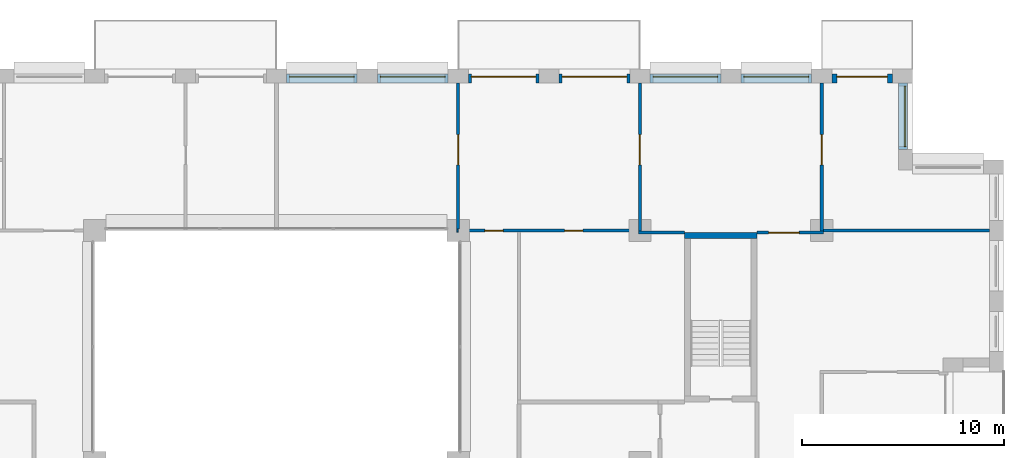
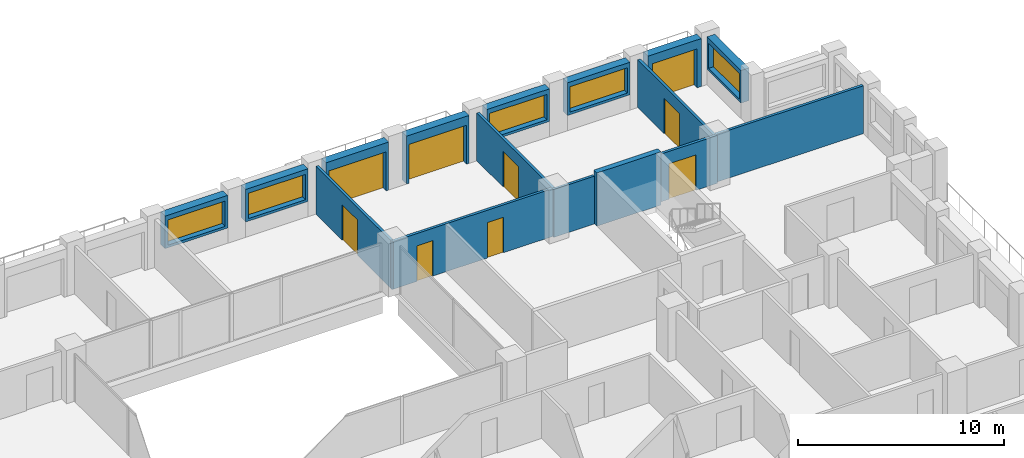
# One storey, part 13 of 15: 17 walls, 9 doors, 5 windows, 14 openings.
"""IFC4 building model written with IfcOpenShell, lengths in metres."""

from ifc_helpers import new_model, si_unit, direction, frame, frame_2d, origin, place, context, subcontext, project, spatial, rectangle, extrude, material, layer, layer_set, type_object, element, fill, save


model = new_model("IFC4")

# Units and contexts
model_context = context("Model", 3, precision=1e-05, world=origin(), true_north=direction((0.0, 1.0)))
body_context = subcontext(model_context, "Body", "Model", "MODEL_VIEW")
ifc_project = project(units=[si_unit("LENGTHUNIT", "METRE"), si_unit("AREAUNIT", "SQUARE_METRE"), si_unit("VOLUMEUNIT", "CUBIC_METRE"), si_unit("PLANEANGLEUNIT", "RADIAN"), si_unit("MASSUNIT", "GRAM", prefix="KILO")], contexts=[model_context])

# Site, building, storey
site_placement = place(None, origin())
site = spatial("IfcSite", under=ifc_project, at=site_placement, CompositionType="ELEMENT")
building_placement = place(site_placement, origin())
building = spatial("IfcBuilding", under=site, at=building_placement, Name="Brigalow Station Residences", CompositionType="ELEMENT")
storey_placement = place(building_placement, frame((0.0, 0.0, 144.449951171875)))
storey = spatial("IfcBuildingStorey", under=building, at=storey_placement, Name="L41", CompositionType="ELEMENT", Elevation=144.449951171875)

# Wall, opening, window
ifc_material_1 = material(Name="Clay brick masonry", Category="masonry")
ifc_layer_1 = layer(ifc_material_1, 0.449951171875)
ifc_layer_set_1 = layer_set([ifc_layer_1], Name="BRICK INFILL WALL 450")
wall_type_1 = type_object("IfcWallType", Name="BRICK INFILL WALL 450", PredefinedType="SOLIDWALL", material=ifc_layer_set_1)
wall_1_placement = place(storey_placement, frame((67.02490234375, 39.5, 0.900146484375), z_axis=(0.0, 0.0, 1.0), x_axis=(0.0, 1.0, 0.0)))
wall_1 = element("IfcWall", 1, at=wall_1_placement, inside=storey, type_object=wall_type_1, Name="L41/ewall/W-L41-21", PredefinedType="SOLIDWALL", context=body_context, shape_type="SweptSolid", body=[
    extrude(rectangle(XDim=3.300048828125, YDim=0.449951171875, at=frame_2d((1.64990234375, 0.0))), origin(), (0.0, 0.0, 1.0), 1.929931640625),
])
opening_1_placement = place(wall_1_placement, frame((0.14990234375, 0.0, 0.14990234375)))
opening_1 = element("IfcOpeningElement", 2, at=opening_1_placement, cuts=wall_1, Name="Opening WT-2", PredefinedType="OPENING", context=body_context, shape_type="SweptSolid", body=[
    extrude(rectangle(XDim=3.0, YDim=1.5, at=frame_2d((1.5, 0.75))), frame((0.0, 0.23486328125, 0.0), z_axis=(0.0, -1.0, 0.0), x_axis=(1.0, 0.0, 0.0)), (0.0, 0.0, 1.0), 0.469970703125),
])
ifc_material_2 = material(Name="Anodised aluminium frame with double glazing", Category="aluminium")
window_type_1 = type_object("IfcWindowType", Name="WINDOW 3000x1500", PartitioningType="SINGLE_PANEL", PredefinedType="WINDOW", material=ifc_material_2)
window_1_placement = place(opening_1_placement, origin())
window_1 = element("IfcWindow", 3, at=window_1_placement, inside=storey, type_object=window_type_1, Name="L41/window/W-L41-21", OverallHeight=1.5, OverallWidth=3.0, PartitioningType="SINGLE_PANEL", PredefinedType="WINDOW", context=body_context, shape_type="SweptSolid", body=[
    extrude(rectangle(XDim=3.0, YDim=1.5, at=frame_2d((1.5, 0.75))), frame((0.0, -0.06494140625, 0.0), z_axis=(0.0, -1.0, 0.0), x_axis=(1.0, 0.0, 0.0)), (0.0, 0.0, 1.0), 0.06005859375),
])
fill(opening_1, window_1)

# Wall, opening, door
wall_2_placement = place(storey_placement, frame((66.5, 43.02490234375, 0.0), z_axis=(0.0, 0.0, 1.0), x_axis=(-1.0, 0.0, 0.0)))
wall_2 = element("IfcWall", 4, at=wall_2_placement, inside=storey, type_object=wall_type_1, Name="L41/ewall/W-L41-22", PredefinedType="SOLIDWALL", context=body_context, shape_type="SweptSolid", body=[
    extrude(rectangle(XDim=3.0, YDim=0.449951171875, at=frame_2d((1.5, 0.0))), origin(), (0.0, 0.0, 1.0), 2.830078125),
])
opening_2_placement = place(wall_2_placement, frame((0.25, 0.0, 0.0)))
opening_2 = element("IfcOpeningElement", 5, at=opening_2_placement, cuts=wall_2, Name="Opening D-B2500", PredefinedType="OPENING", context=body_context, shape_type="SweptSolid", body=[
    extrude(rectangle(XDim=2.5, YDim=2.300048828125, at=frame_2d((1.25, 1.14990234375))), frame((0.0, 0.23486328125, 0.0), z_axis=(0.0, -1.0, 0.0), x_axis=(1.0, 0.0, 0.0)), (0.0, 0.0, 1.0), 0.469970703125),
])
ifc_material_3 = material(Name="Anodised aluminium frame with double glazing", Category="aluminium")
door_type_1 = type_object("IfcDoorType", Name="BALCONY SLIDING DOOR 2500x2300", OperationType="SLIDING_TO_LEFT", PredefinedType="DOOR", material=ifc_material_3)
door_1_placement = place(opening_2_placement, origin())
door_1 = element("IfcDoor", 6, at=door_1_placement, inside=storey, type_object=door_type_1, Name="L41/balcony-door/W-L41-22", OperationType="SLIDING_TO_LEFT", OverallHeight=2.300048828125, OverallWidth=2.5, PredefinedType="DOOR", context=body_context, shape_type="SweptSolid", body=[
    extrude(rectangle(XDim=2.5, YDim=2.300048828125, at=frame_2d((1.25, 1.14990234375))), frame((0.0, -0.06982421875, 0.0), z_axis=(0.0, -1.0, 0.0), x_axis=(1.0, 0.0, 0.0)), (0.0, 0.0, 1.0), 0.050048828125),
])
fill(opening_2, door_1)

# Wall, opening, window
wall_3_placement = place(storey_placement, frame((62.5, 43.02490234375, 0.900146484375), z_axis=(0.0, 0.0, 1.0), x_axis=(-1.0, 0.0, 0.0)))
wall_3 = element("IfcWall", 7, at=wall_3_placement, inside=storey, type_object=wall_type_1, Name="L41/ewall/W-L41-23", PredefinedType="SOLIDWALL", context=body_context, shape_type="SweptSolid", body=[
    extrude(rectangle(XDim=3.5, YDim=0.449951171875, at=frame_2d((1.75, 0.0))), origin(), (0.0, 0.0, 1.0), 1.929931640625),
])
opening_3_placement = place(wall_3_placement, frame((0.14990234375, 0.0, 0.14990234375)))
opening_3 = element("IfcOpeningElement", 8, at=opening_3_placement, cuts=wall_3, Name="Opening WT-9", PredefinedType="OPENING", context=body_context, shape_type="SweptSolid", body=[
    extrude(rectangle(XDim=3.199951171875, YDim=1.5, at=frame_2d((1.60009765625, 0.75))), frame((0.0, 0.23486328125, 0.0), z_axis=(0.0, -1.0, 0.0), x_axis=(1.0, 0.0, 0.0)), (0.0, 0.0, 1.0), 0.469970703125),
])
ifc_material_4 = material(Name="Anodised aluminium frame with double glazing", Category="aluminium")
window_type_2 = type_object("IfcWindowType", Name="WINDOW 3200x1500", PartitioningType="SINGLE_PANEL", PredefinedType="WINDOW", material=ifc_material_4)
window_2_placement = place(opening_3_placement, origin())
window_2 = element("IfcWindow", 9, at=window_2_placement, inside=storey, type_object=window_type_2, Name="L41/window/W-L41-23", OverallHeight=1.5, OverallWidth=3.199951171875, PartitioningType="SINGLE_PANEL", PredefinedType="WINDOW", context=body_context, shape_type="SweptSolid", body=[
    extrude(rectangle(XDim=3.199951171875, YDim=1.5, at=frame_2d((1.60009765625, 0.75))), frame((0.0, -0.06494140625, 0.0), z_axis=(0.0, -1.0, 0.0), x_axis=(1.0, 0.0, 0.0)), (0.0, 0.0, 1.0), 0.06005859375),
])
fill(opening_3, window_2)

wall_4_placement = place(storey_placement, frame((58.0, 43.02490234375, 0.900146484375), z_axis=(0.0, 0.0, 1.0), x_axis=(-1.0, 0.0, 0.0)))
wall_4 = element("IfcWall", 10, at=wall_4_placement, inside=storey, type_object=wall_type_1, Name="L41/ewall/W-L41-24", PredefinedType="SOLIDWALL", context=body_context, shape_type="SweptSolid", body=[
    extrude(rectangle(XDim=3.5, YDim=0.449951171875, at=frame_2d((1.75, 0.0))), origin(), (0.0, 0.0, 1.0), 1.929931640625),
])
opening_4_placement = place(wall_4_placement, frame((0.14990234375, 0.0, 0.14990234375)))
opening_4 = element("IfcOpeningElement", 11, at=opening_4_placement, cuts=wall_4, Name="Opening WT-9", PredefinedType="OPENING", context=body_context, shape_type="SweptSolid", body=[
    extrude(rectangle(XDim=3.199951171875, YDim=1.5, at=frame_2d((1.60009765625, 0.75))), frame((0.0, 0.23486328125, 0.0), z_axis=(0.0, -1.0, 0.0), x_axis=(1.0, 0.0, 0.0)), (0.0, 0.0, 1.0), 0.469970703125),
])
window_3_placement = place(opening_4_placement, origin())
window_3 = element("IfcWindow", 12, at=window_3_placement, inside=storey, type_object=window_type_2, Name="L41/window/W-L41-24", OverallHeight=1.5, OverallWidth=3.199951171875, PartitioningType="SINGLE_PANEL", PredefinedType="WINDOW", context=body_context, shape_type="SweptSolid", body=[
    extrude(rectangle(XDim=3.199951171875, YDim=1.5, at=frame_2d((1.60009765625, 0.75))), frame((0.0, -0.06494140625, 0.0), z_axis=(0.0, -1.0, 0.0), x_axis=(1.0, 0.0, 0.0)), (0.0, 0.0, 1.0), 0.06005859375),
])
fill(opening_4, window_3)

# Wall, opening, door
wall_5_placement = place(storey_placement, frame((53.5, 43.02490234375, 0.0), z_axis=(0.0, 0.0, 1.0), x_axis=(-1.0, 0.0, 0.0)))
wall_5 = element("IfcWall", 13, at=wall_5_placement, inside=storey, type_object=wall_type_1, Name="L41/ewall/W-L41-25", PredefinedType="SOLIDWALL", context=body_context, shape_type="SweptSolid", body=[
    extrude(rectangle(XDim=3.5, YDim=0.449951171875, at=frame_2d((1.75, 0.0))), origin(), (0.0, 0.0, 1.0), 2.830078125),
])
opening_5_placement = place(wall_5_placement, frame((0.14990234375, 0.0, 0.0)))
opening_5 = element("IfcOpeningElement", 14, at=opening_5_placement, cuts=wall_5, Name="Opening D-B3200", PredefinedType="OPENING", context=body_context, shape_type="SweptSolid", body=[
    extrude(rectangle(XDim=3.199951171875, YDim=2.300048828125, at=frame_2d((1.60009765625, 1.14990234375))), frame((0.0, 0.23486328125, 0.0), z_axis=(0.0, -1.0, 0.0), x_axis=(1.0, 0.0, 0.0)), (0.0, 0.0, 1.0), 0.469970703125),
])
ifc_material_5 = material(Name="Anodised aluminium frame with double glazing", Category="aluminium")
door_type_2 = type_object("IfcDoorType", Name="BALCONY SLIDING DOOR 3200x2300", OperationType="SLIDING_TO_LEFT", PredefinedType="DOOR", material=ifc_material_5)
door_2_placement = place(opening_5_placement, origin())
door_2 = element("IfcDoor", 15, at=door_2_placement, inside=storey, type_object=door_type_2, Name="L41/balcony-door/W-L41-25", OperationType="SLIDING_TO_LEFT", OverallHeight=2.300048828125, OverallWidth=3.199951171875, PredefinedType="DOOR", context=body_context, shape_type="SweptSolid", body=[
    extrude(rectangle(XDim=3.199951171875, YDim=2.300048828125, at=frame_2d((1.60009765625, 1.14990234375))), frame((0.0, -0.06982421875, 0.0), z_axis=(0.0, -1.0, 0.0), x_axis=(1.0, 0.0, 0.0)), (0.0, 0.0, 1.0), 0.050048828125),
])
fill(opening_5, door_2)

wall_6_placement = place(storey_placement, frame((49.0, 43.02490234375, 0.0), z_axis=(0.0, 0.0, 1.0), x_axis=(-1.0, 0.0, 0.0)))
wall_6 = element("IfcWall", 16, at=wall_6_placement, inside=storey, type_object=wall_type_1, Name="L41/ewall/W-L41-26", PredefinedType="SOLIDWALL", context=body_context, shape_type="SweptSolid", body=[
    extrude(rectangle(XDim=3.5, YDim=0.449951171875, at=frame_2d((1.75, 0.0))), origin(), (0.0, 0.0, 1.0), 2.830078125),
])
opening_6_placement = place(wall_6_placement, frame((0.14990234375, 0.0, 0.0)))
opening_6 = element("IfcOpeningElement", 17, at=opening_6_placement, cuts=wall_6, Name="Opening D-B3200", PredefinedType="OPENING", context=body_context, shape_type="SweptSolid", body=[
    extrude(rectangle(XDim=3.199951171875, YDim=2.300048828125, at=frame_2d((1.60009765625, 1.14990234375))), frame((0.0, 0.23486328125, 0.0), z_axis=(0.0, -1.0, 0.0), x_axis=(1.0, 0.0, 0.0)), (0.0, 0.0, 1.0), 0.469970703125),
])
door_3_placement = place(opening_6_placement, origin())
door_3 = element("IfcDoor", 18, at=door_3_placement, inside=storey, type_object=door_type_2, Name="L41/balcony-door/W-L41-26", OperationType="SLIDING_TO_LEFT", OverallHeight=2.300048828125, OverallWidth=3.199951171875, PredefinedType="DOOR", context=body_context, shape_type="SweptSolid", body=[
    extrude(rectangle(XDim=3.199951171875, YDim=2.300048828125, at=frame_2d((1.60009765625, 1.14990234375))), frame((0.0, -0.06982421875, 0.0), z_axis=(0.0, -1.0, 0.0), x_axis=(1.0, 0.0, 0.0)), (0.0, 0.0, 1.0), 0.050048828125),
])
fill(opening_6, door_3)

# Wall, opening, window
wall_7_placement = place(storey_placement, frame((44.5, 43.02490234375, 0.900146484375), z_axis=(0.0, 0.0, 1.0), x_axis=(-1.0, 0.0, 0.0)))
wall_7 = element("IfcWall", 19, at=wall_7_placement, inside=storey, type_object=wall_type_1, Name="L41/ewall/W-L41-27", PredefinedType="SOLIDWALL", context=body_context, shape_type="SweptSolid", body=[
    extrude(rectangle(XDim=3.5, YDim=0.449951171875, at=frame_2d((1.75, 0.0))), origin(), (0.0, 0.0, 1.0), 1.929931640625),
])
opening_7_placement = place(wall_7_placement, frame((0.14990234375, 0.0, 0.14990234375)))
opening_7 = element("IfcOpeningElement", 20, at=opening_7_placement, cuts=wall_7, Name="Opening WT-9", PredefinedType="OPENING", context=body_context, shape_type="SweptSolid", body=[
    extrude(rectangle(XDim=3.199951171875, YDim=1.5, at=frame_2d((1.60009765625, 0.75))), frame((0.0, 0.23486328125, 0.0), z_axis=(0.0, -1.0, 0.0), x_axis=(1.0, 0.0, 0.0)), (0.0, 0.0, 1.0), 0.469970703125),
])
window_4_placement = place(opening_7_placement, origin())
window_4 = element("IfcWindow", 21, at=window_4_placement, inside=storey, type_object=window_type_2, Name="L41/window/W-L41-27", OverallHeight=1.5, OverallWidth=3.199951171875, PartitioningType="SINGLE_PANEL", PredefinedType="WINDOW", context=body_context, shape_type="SweptSolid", body=[
    extrude(rectangle(XDim=3.199951171875, YDim=1.5, at=frame_2d((1.60009765625, 0.75))), frame((0.0, -0.06494140625, 0.0), z_axis=(0.0, -1.0, 0.0), x_axis=(1.0, 0.0, 0.0)), (0.0, 0.0, 1.0), 0.06005859375),
])
fill(opening_7, window_4)

wall_8_placement = place(storey_placement, frame((40.0, 43.02490234375, 0.900146484375), z_axis=(0.0, 0.0, 1.0), x_axis=(-1.0, 0.0, 0.0)))
wall_8 = element("IfcWall", 22, at=wall_8_placement, inside=storey, type_object=wall_type_1, Name="L41/ewall/W-L41-28", PredefinedType="SOLIDWALL", context=body_context, shape_type="SweptSolid", body=[
    extrude(rectangle(XDim=3.5, YDim=0.449951171875, at=frame_2d((1.75, 0.0))), origin(), (0.0, 0.0, 1.0), 1.929931640625),
])
opening_8_placement = place(wall_8_placement, frame((0.14990234375, 0.0, 0.14990234375)))
opening_8 = element("IfcOpeningElement", 23, at=opening_8_placement, cuts=wall_8, Name="Opening WT-9", PredefinedType="OPENING", context=body_context, shape_type="SweptSolid", body=[
    extrude(rectangle(XDim=3.199951171875, YDim=1.5, at=frame_2d((1.60009765625, 0.75))), frame((0.0, 0.23486328125, 0.0), z_axis=(0.0, -1.0, 0.0), x_axis=(1.0, 0.0, 0.0)), (0.0, 0.0, 1.0), 0.469970703125),
])
window_5_placement = place(opening_8_placement, origin())
window_5 = element("IfcWindow", 24, at=window_5_placement, inside=storey, type_object=window_type_2, Name="L41/window/W-L41-28", OverallHeight=1.5, OverallWidth=3.199951171875, PartitioningType="SINGLE_PANEL", PredefinedType="WINDOW", context=body_context, shape_type="SweptSolid", body=[
    extrude(rectangle(XDim=3.199951171875, YDim=1.5, at=frame_2d((1.60009765625, 0.75))), frame((0.0, -0.06494140625, 0.0), z_axis=(0.0, -1.0, 0.0), x_axis=(1.0, 0.0, 0.0)), (0.0, 0.0, 1.0), 0.06005859375),
])
fill(opening_8, window_5)

# Walls
ifc_material_6 = material(Name="Concrete C65", Category="concrete")
ifc_layer_2 = layer(ifc_material_6, 0.300048828125)
ifc_layer_set_2 = layer_set([ifc_layer_2], Name="CORE SHEAR WALL 300 C65")
wall_type_2 = type_object("IfcWallType", Name="CORE SHEAR WALL 300 C65", PredefinedType="SHEAR", material=ifc_layer_set_2)
wall_9_placement = place(storey_placement, frame((56.199951171875, 35.25, 0.0), z_axis=(0.0, 0.0, 1.0), x_axis=(1.0, 0.0, 0.0)))
element("IfcWall", 25, at=wall_9_placement, inside=storey, type_object=wall_type_2, Name="CORE WALL ST-S3-N L41", PredefinedType="SHEAR", context=body_context, shape_type="SweptSolid", body=[
    extrude(rectangle(XDim=3.60009765625, YDim=0.300048828125, at=frame_2d((1.800048828125, 0.0))), origin(), (0.0, 0.0, 1.0), 3.150146484375),
])
ifc_material_7 = material(Name="Plasterboard on steel stud partition", Category="steel")
ifc_layer_3 = layer(ifc_material_7, 0.14990234375)
ifc_layer_set_3 = layer_set([ifc_layer_3], Name="FLAT PARTITION 150")
wall_type_3 = type_object("IfcWallType", Name="FLAT PARTITION 150", PredefinedType="PARTITIONING", material=ifc_layer_set_3)
wall_10_placement = place(storey_placement, frame((53.925048828125, 35.39990234375, 0.0), z_axis=(0.0, 0.0, 1.0), x_axis=(1.0, 0.0, 0.0)))
element("IfcWall", 26, at=wall_10_placement, inside=storey, type_object=wall_type_3, Name="PW-3A19", PredefinedType="PARTITIONING", context=body_context, shape_type="SweptSolid", body=[
    extrude(rectangle(XDim=2.27490234375, YDim=0.14990234375, at=frame_2d((1.137451171875, 0.0))), origin(), (0.0, 0.0, 1.0), 2.830078125),
])

# Wall, opening, door
wall_11_placement = place(storey_placement, frame((59.800048828125, 35.39990234375, 0.0), z_axis=(0.0, 0.0, 1.0), x_axis=(1.0, 0.0, 0.0)))
wall_11 = element("IfcWall", 27, at=wall_11_placement, inside=storey, type_object=wall_type_3, Name="PW-3A20", PredefinedType="PARTITIONING", context=body_context, shape_type="SweptSolid", body=[
    extrude(rectangle(XDim=3.27490234375, YDim=0.14990234375, at=frame_2d((1.637451171875, 0.0))), origin(), (0.0, 0.0, 1.0), 2.830078125),
])
opening_9_placement = place(wall_11_placement, frame((0.574951171875, 0.0, 0.0)))
opening_9 = element("IfcOpeningElement", 28, at=opening_9_placement, cuts=wall_11, Name="Opening D-3A31", PredefinedType="OPENING", context=body_context, shape_type="SweptSolid", body=[
    extrude(rectangle(XDim=1.5, YDim=2.10009765625, at=frame_2d((0.75, 1.050048828125))), frame((0.0, 0.0849609375, 0.0), z_axis=(0.0, -1.0, 0.0), x_axis=(1.0, 0.0, 0.0)), (0.0, 0.0, 1.0), 0.169921875),
])
ifc_material_8 = material(Name="Solid-core timber door leaf", Category="wood")
door_type_3 = type_object("IfcDoorType", Name="INTERNAL DOUBLE DOOR 1500 x 2100", OperationType="DOUBLE_DOOR_SINGLE_SWING", PredefinedType="DOOR", material=ifc_material_8)
door_4_placement = place(opening_9_placement, origin())
door_4 = element("IfcDoor", 29, at=door_4_placement, inside=storey, type_object=door_type_3, Name="D-3A31", OperationType="DOUBLE_DOOR_SINGLE_SWING", OverallHeight=2.10009765625, OverallWidth=1.5, PredefinedType="DOOR", context=body_context, shape_type="SweptSolid", body=[
    extrude(rectangle(XDim=1.5, YDim=2.10009765625, at=frame_2d((0.75, 1.050048828125))), frame((0.0, 0.02490234375, 0.0), z_axis=(0.0, -1.0, 0.0), x_axis=(1.0, 0.0, 0.0)), (0.0, 0.0, 1.0), 0.050048828125),
])
fill(opening_9, door_4)

# Wall
wall_12_placement = place(storey_placement, frame((44.925048828125, 35.5, 0.0), z_axis=(0.0, 0.0, 1.0), x_axis=(1.0, 0.0, 0.0)))
element("IfcWall", 30, at=wall_12_placement, inside=storey, type_object=wall_type_3, Name="PW-3A23", PredefinedType="PARTITIONING", context=body_context, shape_type="SweptSolid", body=[
    extrude(rectangle(XDim=0.074951171875, YDim=0.14990234375, at=frame_2d((0.03759765625, 0.0))), origin(), (0.0, 0.0, 1.0), 2.830078125),
])

# Wall, openings, doors
wall_13_placement = place(storey_placement, frame((45.0, 35.5, 0.0), z_axis=(0.0, 0.0, 1.0), x_axis=(1.0, 0.0, 0.0)))
wall_13 = element("IfcWall", 31, at=wall_13_placement, inside=storey, type_object=wall_type_3, Name="PW-3A24", PredefinedType="PARTITIONING", context=body_context, shape_type="SweptSolid", body=[
    extrude(rectangle(XDim=8.925048828125, YDim=0.14990234375, at=frame_2d((4.46240234375, 0.0))), origin(), (0.0, 0.0, 1.0), 2.830078125),
])
opening_10_placement = place(wall_13_placement, frame((5.27490234375, 0.0, 0.0)))
opening_10 = element("IfcOpeningElement", 32, at=opening_10_placement, cuts=wall_13, Name="Opening D-3A34", PredefinedType="OPENING", context=body_context, shape_type="SweptSolid", body=[
    extrude(rectangle(XDim=0.89990234375, YDim=2.10009765625, at=frame_2d((0.449951171875, 1.050048828125))), frame((0.0, 0.0849609375, 0.0), z_axis=(0.0, -1.0, 0.0), x_axis=(1.0, 0.0, 0.0)), (0.0, 0.0, 1.0), 0.169921875),
])
opening_11_placement = place(wall_13_placement, frame((1.324951171875, 0.0, 0.0)))
opening_11 = element("IfcOpeningElement", 33, at=opening_11_placement, cuts=wall_13, Name="Opening D-3A35", PredefinedType="OPENING", context=body_context, shape_type="SweptSolid", body=[
    extrude(rectangle(XDim=0.89990234375, YDim=2.10009765625, at=frame_2d((0.449951171875, 1.050048828125))), frame((0.0, 0.0849609375, 0.0), z_axis=(0.0, -1.0, 0.0), x_axis=(1.0, 0.0, 0.0)), (0.0, 0.0, 1.0), 0.169921875),
])
ifc_material_9 = material(Name="Solid-core timber door leaf", Category="wood")
door_type_4 = type_object("IfcDoorType", Name="INTERNAL DOOR 900 x 2100", OperationType="SINGLE_SWING_LEFT", PredefinedType="DOOR", material=ifc_material_9)
door_5_placement = place(opening_10_placement, origin())
door_5 = element("IfcDoor", 34, at=door_5_placement, inside=storey, type_object=door_type_4, Name="D-3A34", OperationType="SINGLE_SWING_RIGHT", OverallHeight=2.10009765625, OverallWidth=0.89990234375, PredefinedType="DOOR", context=body_context, shape_type="SweptSolid", body=[
    extrude(rectangle(XDim=0.89990234375, YDim=2.10009765625, at=frame_2d((0.449951171875, 1.050048828125))), frame((0.0, 0.02490234375, 0.0), z_axis=(0.0, -1.0, 0.0), x_axis=(1.0, 0.0, 0.0)), (0.0, 0.0, 1.0), 0.050048828125),
])
fill(opening_10, door_5)
door_6_placement = place(opening_11_placement, frame((0.89990234375, 0.0, 0.0), z_axis=(0.0, 0.0, 1.0), x_axis=(-1.0, 0.0, 0.0)))
door_6 = element("IfcDoor", 35, at=door_6_placement, inside=storey, type_object=door_type_4, Name="D-3A35", OperationType="SINGLE_SWING_LEFT", OverallHeight=2.10009765625, OverallWidth=0.89990234375, PredefinedType="DOOR", context=body_context, shape_type="SweptSolid", body=[
    extrude(rectangle(XDim=0.89990234375, YDim=2.10009765625, at=frame_2d((0.449951171875, 1.050048828125))), frame((0.0, 0.02490234375, 0.0), z_axis=(0.0, -1.0, 0.0), x_axis=(1.0, 0.0, 0.0)), (0.0, 0.0, 1.0), 0.050048828125),
])
fill(opening_11, door_6)

# Wall
wall_14_placement = place(storey_placement, frame((63.074951171875, 35.5, 0.0), z_axis=(0.0, 0.0, 1.0), x_axis=(1.0, 0.0, 0.0)))
element("IfcWall", 36, at=wall_14_placement, inside=storey, type_object=wall_type_3, Name="PW-3A25", PredefinedType="PARTITIONING", context=body_context, shape_type="SweptSolid", body=[
    extrude(rectangle(XDim=8.22509765625, YDim=0.14990234375, at=frame_2d((4.112548828125, 0.0))), origin(), (0.0, 0.0, 1.0), 2.830078125),
])

# Wall, opening, door
wall_15_placement = place(storey_placement, frame((54.0, 35.47509765625, 0.0), z_axis=(0.0, 0.0, 1.0), x_axis=(0.0, 1.0, 0.0)))
wall_15 = element("IfcWall", 37, at=wall_15_placement, inside=storey, type_object=wall_type_3, Name="PW-3A31", PredefinedType="PARTITIONING", context=body_context, shape_type="SweptSolid", body=[
    extrude(rectangle(XDim=7.324951171875, YDim=0.14990234375, at=frame_2d((3.66259765625, 0.0))), origin(), (0.0, 0.0, 1.0), 2.830078125),
])
opening_12_placement = place(wall_15_placement, frame((3.27490234375, 0.0, 0.0)))
opening_12 = element("IfcOpeningElement", 38, at=opening_12_placement, cuts=wall_15, Name="Opening D-3A32", PredefinedType="OPENING", context=body_context, shape_type="SweptSolid", body=[
    extrude(rectangle(XDim=1.5, YDim=2.10009765625, at=frame_2d((0.75, 1.050048828125))), frame((0.0, 0.0849609375, 0.0), z_axis=(0.0, -1.0, 0.0), x_axis=(1.0, 0.0, 0.0)), (0.0, 0.0, 1.0), 0.169921875),
])
door_7_placement = place(opening_12_placement, origin())
door_7 = element("IfcDoor", 39, at=door_7_placement, inside=storey, type_object=door_type_3, Name="D-3A32", OperationType="DOUBLE_DOOR_SINGLE_SWING", OverallHeight=2.10009765625, OverallWidth=1.5, PredefinedType="DOOR", context=body_context, shape_type="SweptSolid", body=[
    extrude(rectangle(XDim=1.5, YDim=2.10009765625, at=frame_2d((0.75, 1.050048828125))), frame((0.0, 0.02490234375, 0.0), z_axis=(0.0, -1.0, 0.0), x_axis=(1.0, 0.0, 0.0)), (0.0, 0.0, 1.0), 0.050048828125),
])
fill(opening_12, door_7)

wall_16_placement = place(storey_placement, frame((63.0, 35.47509765625, 0.0), z_axis=(0.0, 0.0, 1.0), x_axis=(0.0, 1.0, 0.0)))
wall_16 = element("IfcWall", 40, at=wall_16_placement, inside=storey, type_object=wall_type_3, Name="PW-3A49", PredefinedType="PARTITIONING", context=body_context, shape_type="SweptSolid", body=[
    extrude(rectangle(XDim=7.324951171875, YDim=0.14990234375, at=frame_2d((3.66259765625, 0.0))), origin(), (0.0, 0.0, 1.0), 2.830078125),
])
opening_13_placement = place(wall_16_placement, frame((3.27490234375, 0.0, 0.0)))
opening_13 = element("IfcOpeningElement", 41, at=opening_13_placement, cuts=wall_16, Name="Opening D-3A36", PredefinedType="OPENING", context=body_context, shape_type="SweptSolid", body=[
    extrude(rectangle(XDim=1.5, YDim=2.10009765625, at=frame_2d((0.75, 1.050048828125))), frame((0.0, 0.0849609375, 0.0), z_axis=(0.0, -1.0, 0.0), x_axis=(1.0, 0.0, 0.0)), (0.0, 0.0, 1.0), 0.169921875),
])
door_8_placement = place(opening_13_placement, frame((1.5, 0.0, 0.0), z_axis=(0.0, 0.0, 1.0), x_axis=(-1.0, 0.0, 0.0)))
door_8 = element("IfcDoor", 42, at=door_8_placement, inside=storey, type_object=door_type_3, Name="D-3A36", OperationType="DOUBLE_DOOR_SINGLE_SWING", OverallHeight=2.10009765625, OverallWidth=1.5, PredefinedType="DOOR", context=body_context, shape_type="SweptSolid", body=[
    extrude(rectangle(XDim=1.5, YDim=2.10009765625, at=frame_2d((0.75, 1.050048828125))), frame((0.0, 0.02490234375, 0.0), z_axis=(0.0, -1.0, 0.0), x_axis=(1.0, 0.0, 0.0)), (0.0, 0.0, 1.0), 0.050048828125),
])
fill(opening_13, door_8)

wall_17_placement = place(storey_placement, frame((45.0, 35.574951171875, 0.0), z_axis=(0.0, 0.0, 1.0), x_axis=(0.0, 1.0, 0.0)))
wall_17 = element("IfcWall", 43, at=wall_17_placement, inside=storey, type_object=wall_type_3, Name="PW-3A52", PredefinedType="PARTITIONING", context=body_context, shape_type="SweptSolid", body=[
    extrude(rectangle(XDim=7.22509765625, YDim=0.14990234375, at=frame_2d((3.612548828125, 0.0))), origin(), (0.0, 0.0, 1.0), 2.830078125),
])
opening_14_placement = place(wall_17_placement, frame((3.175048828125, 0.0, 0.0)))
opening_14 = element("IfcOpeningElement", 44, at=opening_14_placement, cuts=wall_17, Name="Opening D-3A33", PredefinedType="OPENING", context=body_context, shape_type="SweptSolid", body=[
    extrude(rectangle(XDim=1.5, YDim=2.10009765625, at=frame_2d((0.75, 1.050048828125))), frame((0.0, 0.0849609375, 0.0), z_axis=(0.0, -1.0, 0.0), x_axis=(1.0, 0.0, 0.0)), (0.0, 0.0, 1.0), 0.169921875),
])
door_9_placement = place(opening_14_placement, origin())
door_9 = element("IfcDoor", 45, at=door_9_placement, inside=storey, type_object=door_type_3, Name="D-3A33", OperationType="DOUBLE_DOOR_SINGLE_SWING", OverallHeight=2.10009765625, OverallWidth=1.5, PredefinedType="DOOR", context=body_context, shape_type="SweptSolid", body=[
    extrude(rectangle(XDim=1.5, YDim=2.10009765625, at=frame_2d((0.75, 1.050048828125))), frame((0.0, 0.02490234375, 0.0), z_axis=(0.0, -1.0, 0.0), x_axis=(1.0, 0.0, 0.0)), (0.0, 0.0, 1.0), 0.050048828125),
])
fill(opening_14, door_9)

save(model, "model.ifc")
